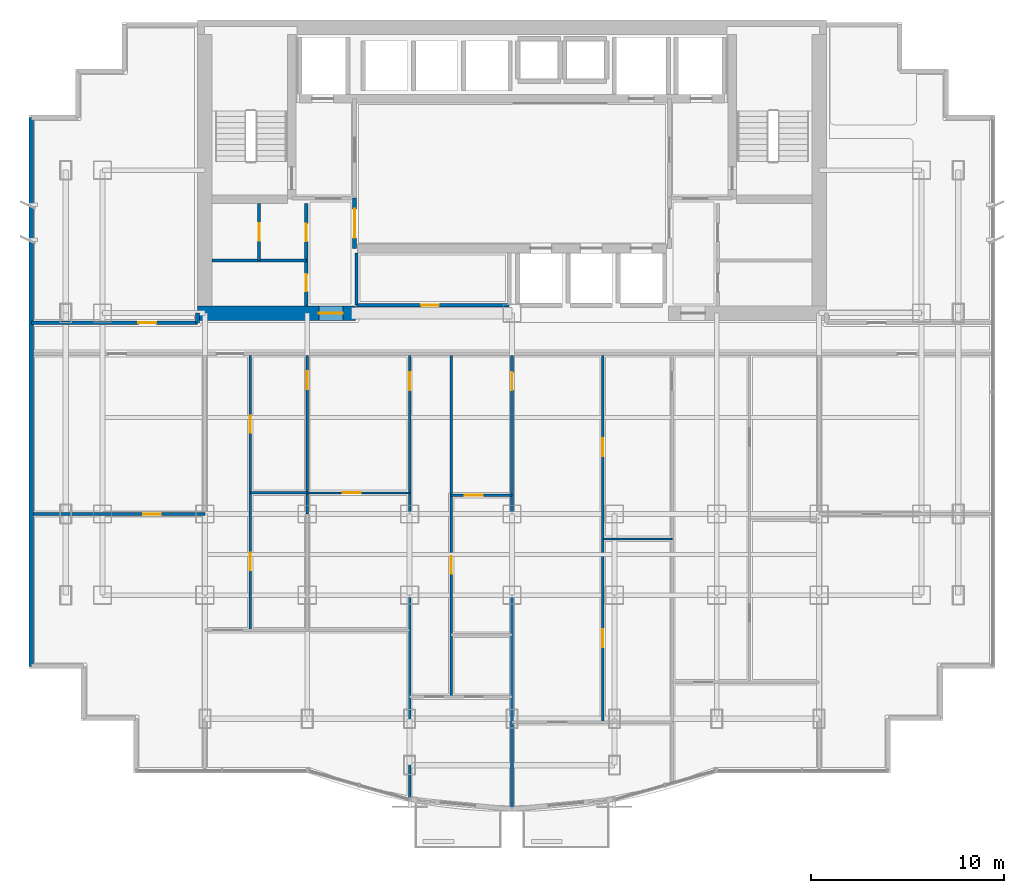
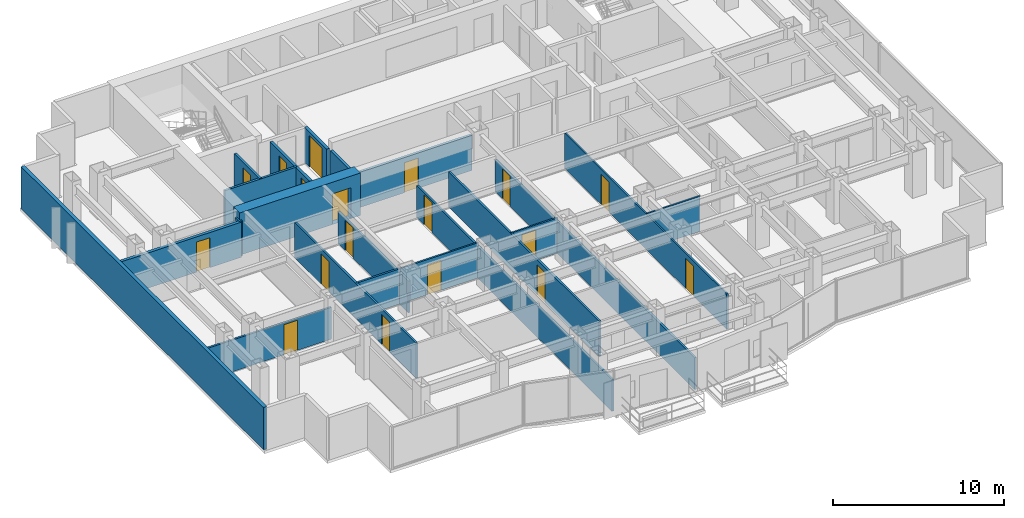
# One storey, part 7 of 11: 21 walls, 18 doors, 18 openings.
"""IFC4 building model written with IfcOpenShell, lengths in metres."""

from ifc_helpers import new_model, si_unit, direction, frame, frame_2d, origin, place, context, subcontext, project, spatial, rectangle, extrude, material, layer, layer_set, type_object, element, fill, save


model = new_model("IFC4")

# Units and contexts
model_context = context("Model", 3, precision=1e-05, world=origin(), true_north=direction((0.0, 1.0)))
body_context = subcontext(model_context, "Body", "Model", "MODEL_VIEW")
ifc_project = project(units=[si_unit("LENGTHUNIT", "METRE"), si_unit("AREAUNIT", "SQUARE_METRE"), si_unit("VOLUMEUNIT", "CUBIC_METRE"), si_unit("PLANEANGLEUNIT", "RADIAN"), si_unit("MASSUNIT", "GRAM", prefix="KILO")], contexts=[model_context])

# Site, building, storey
site_placement = place(None, origin())
site = spatial("IfcSite", under=ifc_project, at=site_placement, CompositionType="ELEMENT")
building_placement = place(site_placement, origin())
building = spatial("IfcBuilding", under=site, at=building_placement, Name="Qianlan Lanfeng Residences", CompositionType="ELEMENT")
storey_placement = place(building_placement, frame((0.0, 0.0, 124.60009765625)))
storey = spatial("IfcBuildingStorey", under=building, at=storey_placement, Name="L34", CompositionType="ELEMENT", Elevation=124.60009765625)

# Wall, opening, door
ifc_material_1 = material(Name="Concrete C60", Category="concrete")
ifc_layer_1 = layer(ifc_material_1, 0.75)
ifc_layer_set_1 = layer_set([ifc_layer_1], Name="Concrete C60")
wall_type_1 = type_object("IfcWallType", Name="CW-RC-750", PredefinedType="SHEAR", material=ifc_layer_set_1)
wall_1_placement = place(storey_placement, frame((10.22509765625, 25.199951171875, 0.0), z_axis=(0.0, 0.0, 1.0), x_axis=(1.0, 0.0, 0.0)))
wall_1 = element("IfcWall", 1, at=wall_1_placement, inside=storey, type_object=wall_type_1, Name="L34 Core Shear Wall SW", PredefinedType="SHEAR", context=body_context, shape_type="SweptSolid", body=[
    extrude(rectangle(XDim=8.1748046875, YDim=0.75, at=frame_2d((4.08740234375, 0.0))), origin(), (0.0, 0.0, 1.0), 3.02978515625),
])
opening_1_placement = place(wall_1_placement, frame((6.27490234375, 0.0, 0.0)))
opening_1 = element("IfcOpeningElement", 2, at=opening_1_placement, cuts=wall_1, Name="Opening L34-D01", PredefinedType="OPENING", context=body_context, shape_type="SweptSolid", body=[
    extrude(rectangle(XDim=1.25, YDim=2.199951171875, at=frame_2d((0.625, 1.10009765625))), frame((0.0, 0.385009765625, 0.0), z_axis=(0.0, -1.0, 0.0), x_axis=(1.0, 0.0, 0.0)), (0.0, 0.0, 1.0), 0.77001953125),
])
ifc_material_2 = material(Name="Painted Galvanised Steel Fire Door", Category="steel")
door_type_1 = type_object("IfcDoorType", Name="DT-FFL", OperationType="NOTDEFINED", PredefinedType="DOOR", material=ifc_material_2)
door_1_placement = place(opening_1_placement, origin())
door_1 = element("IfcDoor", 3, at=door_1_placement, inside=storey, type_object=door_type_1, Name="L34 West Core Lobby Smoke Door L34-D01 (DT-FFL)", OperationType="SINGLE_SWING_RIGHT", OverallHeight=2.199951171875, OverallWidth=1.25, PredefinedType="DOOR", context=body_context, shape_type="SweptSolid", body=[
    extrude(rectangle(XDim=1.25, YDim=2.199951171875, at=frame_2d((0.625, 1.10009765625))), frame((0.0, 0.02490234375, 0.0), z_axis=(0.0, -1.0, 0.0), x_axis=(1.0, 0.0, 0.0)), (0.0, 0.0, 1.0), 0.050048828125),
])
fill(opening_1, door_1)

# Wall
ifc_material_3 = material(Name="Concrete C42", Category="concrete")
ifc_layer_2 = layer(ifc_material_3, 0.239990234375)
ifc_layer_set_2 = layer_set([ifc_layer_2], Name="Concrete C42")
wall_type_2 = type_object("IfcWallType", Name="EW-240", PredefinedType="SOLIDWALL", material=ifc_layer_set_2)
wall_2_placement = place(storey_placement, frame((1.6201171875, 35.330078125, 0.0), z_axis=(0.0, 0.0, 1.0), x_axis=(0.0, -1.0, 0.0)))
element("IfcWall", 4, at=wall_2_placement, inside=storey, type_object=wall_type_2, Name="L34 Exterior Facade Spandrel Wall 21", PredefinedType="SOLIDWALL", context=body_context, shape_type="SweptSolid", body=[
    extrude(rectangle(XDim=28.41015625, YDim=0.239990234375, at=frame_2d((14.205078125, 0.0))), origin(), (0.0, 0.0, 1.0), 3.02978515625),
])

# Wall, opening, door
ifc_material_4 = material(Name="Demountable Acoustic Framing Partition 110 mm")
ifc_layer_3 = layer(ifc_material_4, 0.110107421875)
ifc_layer_set_3 = layer_set([ifc_layer_3], Name="Demountable Acoustic Framing Partition 110 mm")
wall_type_3 = type_object("IfcWallType", Name="PW-110", PredefinedType="MOVABLE", material=ifc_layer_set_3)
wall_3_placement = place(storey_placement, frame((15.89990234375, 15.89501953125, 0.0), z_axis=(0.0, 0.0, 1.0), x_axis=(1.0, 0.0, 0.0)))
wall_3 = element("IfcWall", 5, at=wall_3_placement, inside=storey, type_object=wall_type_3, Name="L34 U01 Study Split", PredefinedType="MOVABLE", context=body_context, shape_type="SweptSolid", body=[
    extrude(rectangle(XDim=5.300048828125, YDim=0.110107421875, at=frame_2d((2.64990234375, 0.0))), origin(), (0.0, 0.0, 1.0), 2.52001953125),
])
opening_2_placement = place(wall_3_placement, frame((1.840087890625, 0.0, 0.0)))
opening_2 = element("IfcOpeningElement", 6, at=opening_2_placement, cuts=wall_3, Name="Opening L34-D25", PredefinedType="OPENING", context=body_context, shape_type="SweptSolid", body=[
    extrude(rectangle(XDim=0.919921875, YDim=2.14990234375, at=frame_2d((0.4599609375, 1.074951171875))), frame((0.0, 0.06494140625, 0.0), z_axis=(0.0, -1.0, 0.0), x_axis=(1.0, 0.0, 0.0)), (0.0, 0.0, 1.0), 0.130126953125),
])
ifc_material_5 = material(Name="Glazed Timber Kitchen/Study Door", Category="wood")
door_type_2 = type_object("IfcDoorType", Name="DT-INT", OperationType="NOTDEFINED", PredefinedType="DOOR", material=ifc_material_5)
door_2_placement = place(opening_2_placement, origin())
door_2 = element("IfcDoor", 7, at=door_2_placement, inside=storey, type_object=door_type_2, Name="L34 U01 Study Inner Door L34-D25 (DT-INT)", OperationType="SINGLE_SWING_RIGHT", OverallHeight=2.14990234375, OverallWidth=0.919921875, PredefinedType="DOOR", context=body_context, shape_type="SweptSolid", body=[
    extrude(rectangle(XDim=0.919921875, YDim=2.14990234375, at=frame_2d((0.4599609375, 1.074951171875))), frame((0.0, 0.02490234375, 0.0), z_axis=(0.0, -1.0, 0.0), x_axis=(1.0, 0.0, 0.0)), (0.0, 0.0, 1.0), 0.050048828125),
])
fill(opening_2, door_2)

wall_4_placement = place(storey_placement, frame((23.35009765625, 15.77392578125, 0.0), z_axis=(0.0, 0.0, 1.0), x_axis=(1.0, 0.0, 0.0)))
wall_4 = element("IfcWall", 8, at=wall_4_placement, inside=storey, type_object=wall_type_3, Name="L34 U01 Wardrobe Split", PredefinedType="MOVABLE", context=body_context, shape_type="SweptSolid", body=[
    extrude(rectangle(XDim=3.14990234375, YDim=0.110107421875, at=frame_2d((1.574951171875, 0.0))), origin(), (0.0, 0.0, 1.0), 2.52001953125),
])
opening_3_placement = place(wall_4_placement, frame((0.715087890625, 0.0, 0.0)))
opening_3 = element("IfcOpeningElement", 9, at=opening_3_placement, cuts=wall_4, Name="Opening L34-D29", PredefinedType="OPENING", context=body_context, shape_type="SweptSolid", body=[
    extrude(rectangle(XDim=0.919921875, YDim=2.14990234375, at=frame_2d((0.4599609375, 1.074951171875))), frame((0.0, 0.06494140625, 0.0), z_axis=(0.0, -1.0, 0.0), x_axis=(1.0, 0.0, 0.0)), (0.0, 0.0, 1.0), 0.130126953125),
])
door_3_placement = place(opening_3_placement, origin())
door_3 = element("IfcDoor", 10, at=door_3_placement, inside=storey, type_object=door_type_2, Name="L34 U01 Dressing Inner Door L34-D29 (DT-INT)", OperationType="SINGLE_SWING_RIGHT", OverallHeight=2.14990234375, OverallWidth=0.919921875, PredefinedType="DOOR", context=body_context, shape_type="SweptSolid", body=[
    extrude(rectangle(XDim=0.919921875, YDim=2.14990234375, at=frame_2d((0.4599609375, 1.074951171875))), frame((0.0, 0.02490234375, 0.0), z_axis=(0.0, -1.0, 0.0), x_axis=(1.0, 0.0, 0.0)), (0.0, 0.0, 1.0), 0.050048828125),
])
fill(opening_3, door_3)

# Wall, openings, doors
wall_5_placement = place(storey_placement, frame((31.199951171875, 4.030029296875, 0.0), z_axis=(0.0, 0.0, 1.0), x_axis=(0.0, 1.0, 0.0)))
wall_5 = element("IfcWall", 11, at=wall_5_placement, inside=storey, type_object=wall_type_3, Name="L34 U01 Bedroom 3 Hall Wall", PredefinedType="MOVABLE", context=body_context, shape_type="SweptSolid", body=[
    extrude(rectangle(XDim=18.969970703125, YDim=0.110107421875, at=frame_2d((9.48486328125, 0.0))), origin(), (0.0, 0.0, 1.0), 2.52001953125),
])
opening_4_placement = place(wall_5_placement, frame((3.883056640625, 0.0, 0.0)))
opening_4 = element("IfcOpeningElement", 12, at=opening_4_placement, cuts=wall_5, Name="Opening L34-D31", PredefinedType="OPENING", context=body_context, shape_type="SweptSolid", body=[
    extrude(rectangle(XDim=0.919921875, YDim=2.14990234375, at=frame_2d((0.4599609375, 1.074951171875))), frame((0.0, 0.06494140625, 0.0), z_axis=(0.0, -1.0, 0.0), x_axis=(1.0, 0.0, 0.0)), (0.0, 0.0, 1.0), 0.130126953125),
])
opening_5_placement = place(wall_5_placement, frame((13.76708984375, 0.0, 0.0)))
opening_5 = element("IfcOpeningElement", 13, at=opening_5_placement, cuts=wall_5, Name="Opening L34-D32", PredefinedType="OPENING", context=body_context, shape_type="SweptSolid", body=[
    extrude(rectangle(XDim=0.919921875, YDim=2.14990234375, at=frame_2d((0.4599609375, 1.074951171875))), frame((0.0, 0.06494140625, 0.0), z_axis=(0.0, -1.0, 0.0), x_axis=(1.0, 0.0, 0.0)), (0.0, 0.0, 1.0), 0.130126953125),
])
door_4_placement = place(opening_4_placement, origin())
door_4 = element("IfcDoor", 14, at=door_4_placement, inside=storey, type_object=door_type_2, Name="L34 U01 Utility Door L34-D31 (DT-INT)", OperationType="SINGLE_SWING_RIGHT", OverallHeight=2.14990234375, OverallWidth=0.919921875, PredefinedType="DOOR", context=body_context, shape_type="SweptSolid", body=[
    extrude(rectangle(XDim=0.919921875, YDim=2.14990234375, at=frame_2d((0.4599609375, 1.074951171875))), frame((0.0, 0.02490234375, 0.0), z_axis=(0.0, -1.0, 0.0), x_axis=(1.0, 0.0, 0.0)), (0.0, 0.0, 1.0), 0.050048828125),
])
fill(opening_4, door_4)
door_5_placement = place(opening_5_placement, origin())
door_5 = element("IfcDoor", 15, at=door_5_placement, inside=storey, type_object=door_type_2, Name="L34 U01 Specialty Door L34-D32 (DT-INT)", OperationType="SINGLE_SWING_LEFT", OverallHeight=2.14990234375, OverallWidth=0.919921875, PredefinedType="DOOR", context=body_context, shape_type="SweptSolid", body=[
    extrude(rectangle(XDim=0.919921875, YDim=2.14990234375, at=frame_2d((0.4599609375, 1.074951171875))), frame((0.0, 0.02490234375, 0.0), z_axis=(0.0, -1.0, 0.0), x_axis=(1.0, 0.0, 0.0)), (0.0, 0.0, 1.0), 0.050048828125),
])
fill(opening_5, door_5)

# Wall
wall_6_placement = place(storey_placement, frame((31.199951171875, 13.514892578125, 0.0), z_axis=(0.0, 0.0, 1.0), x_axis=(1.0, 0.0, 0.0)))
element("IfcWall", 16, at=wall_6_placement, inside=storey, type_object=wall_type_3, Name="L34 U01 Specialty Split Wall", PredefinedType="MOVABLE", context=body_context, shape_type="SweptSolid", body=[
    extrude(rectangle(XDim=3.60009765625, YDim=0.110107421875, at=frame_2d((1.800048828125, 0.0))), origin(), (0.0, 0.0, 1.0), 2.52001953125),
])

# Wall, opening, door
ifc_material_6 = material(Name="Moisture-Resistant Gypsum Partition 135 mm")
ifc_layer_4 = layer(ifc_material_6, 0.135009765625)
ifc_layer_set_4 = layer_set([ifc_layer_4], Name="Moisture-Resistant Gypsum Partition 135 mm")
wall_type_4 = type_object("IfcWallType", Name="PW-135", PredefinedType="PARTITIONING", material=ifc_layer_set_4)
wall_7_placement = place(storey_placement, frame((15.89990234375, 14.800048828125, 0.0), z_axis=(0.0, 0.0, 1.0), x_axis=(0.0, 1.0, 0.0)))
wall_7 = element("IfcWall", 17, at=wall_7_placement, inside=storey, type_object=wall_type_4, Name="L34 U01 North Spine Wall", PredefinedType="PARTITIONING", context=body_context, shape_type="SweptSolid", body=[
    extrude(rectangle(XDim=8.199951171875, YDim=0.135009765625, at=frame_2d((4.10009765625, 0.0))), origin(), (0.0, 0.0, 1.0), 2.27490234375),
])
opening_6_placement = place(wall_7_placement, frame((6.465087890625, 0.0, 0.0)))
opening_6 = element("IfcOpeningElement", 18, at=opening_6_placement, cuts=wall_7, Name="Opening L34-D18", PredefinedType="OPENING", context=body_context, shape_type="SweptSolid", body=[
    extrude(rectangle(XDim=0.919921875, YDim=2.14990234375, at=frame_2d((0.4599609375, 1.074951171875))), frame((0.0, 0.07763671875, 0.0), z_axis=(0.0, -1.0, 0.0), x_axis=(1.0, 0.0, 0.0)), (0.0, 0.0, 1.0), 0.155029296875),
])
door_6_placement = place(opening_6_placement, origin())
door_6 = element("IfcDoor", 19, at=door_6_placement, inside=storey, type_object=door_type_2, Name="L34 U01 North Suite Door L34-D18 (DT-INT)", OperationType="SINGLE_SWING_LEFT", OverallHeight=2.14990234375, OverallWidth=0.919921875, PredefinedType="DOOR", context=body_context, shape_type="SweptSolid", body=[
    extrude(rectangle(XDim=0.919921875, YDim=2.14990234375, at=frame_2d((0.4599609375, 1.074951171875))), frame((0.0, 0.02490234375, 0.0), z_axis=(0.0, -1.0, 0.0), x_axis=(1.0, 0.0, 0.0)), (0.0, 0.0, 1.0), 0.050048828125),
])
fill(opening_6, door_6)

wall_8_placement = place(storey_placement, frame((21.199951171875, 0.126953125, 0.0), z_axis=(0.0, 0.0, 1.0), x_axis=(0.0, 1.0, 0.0)))
wall_8 = element("IfcWall", 20, at=wall_8_placement, inside=storey, type_object=wall_type_4, Name="L34 U01 Bay Spine Wall 2", PredefinedType="PARTITIONING", context=body_context, shape_type="SweptSolid", body=[
    extrude(rectangle(XDim=22.873046875, YDim=0.135009765625, at=frame_2d((11.4365234375, 0.0))), origin(), (0.0, 0.0, 1.0), 2.27490234375),
])
opening_7_placement = place(wall_8_placement, frame((21.087890625, 0.0, 0.0)))
opening_7 = element("IfcOpeningElement", 21, at=opening_7_placement, cuts=wall_8, Name="Opening L34-D19", PredefinedType="OPENING", context=body_context, shape_type="SweptSolid", body=[
    extrude(rectangle(XDim=0.919921875, YDim=2.14990234375, at=frame_2d((0.4599609375, 1.074951171875))), frame((0.0, 0.07763671875, 0.0), z_axis=(0.0, -1.0, 0.0), x_axis=(1.0, 0.0, 0.0)), (0.0, 0.0, 1.0), 0.155029296875),
])
door_7_placement = place(opening_7_placement, origin())
door_7 = element("IfcDoor", 22, at=door_7_placement, inside=storey, type_object=door_type_2, Name="L34 U01 Internal Hall Door L34-D19 (DT-INT)", OperationType="SINGLE_SWING_RIGHT", OverallHeight=2.14990234375, OverallWidth=0.919921875, PredefinedType="DOOR", context=body_context, shape_type="SweptSolid", body=[
    extrude(rectangle(XDim=0.919921875, YDim=2.14990234375, at=frame_2d((0.4599609375, 1.074951171875))), frame((0.0, 0.02490234375, 0.0), z_axis=(0.0, -1.0, 0.0), x_axis=(1.0, 0.0, 0.0)), (0.0, 0.0, 1.0), 0.050048828125),
])
fill(opening_7, door_7)

wall_9_placement = place(storey_placement, frame((26.5, -0.3798828125, 0.0), z_axis=(0.0, 0.0, 1.0), x_axis=(0.0, 1.0, 0.0)))
wall_9 = element("IfcWall", 23, at=wall_9_placement, inside=storey, type_object=wall_type_4, Name="L34 U01 Bay Spine Wall 3", PredefinedType="PARTITIONING", context=body_context, shape_type="SweptSolid", body=[
    extrude(rectangle(XDim=23.3798828125, YDim=0.135009765625, at=frame_2d((11.68994140625, 0.0))), origin(), (0.0, 0.0, 1.0), 2.27490234375),
])
opening_8_placement = place(wall_9_placement, frame((21.594970703125, 0.0, 0.0)))
opening_8 = element("IfcOpeningElement", 24, at=opening_8_placement, cuts=wall_9, Name="Opening L34-D20", PredefinedType="OPENING", context=body_context, shape_type="SweptSolid", body=[
    extrude(rectangle(XDim=0.919921875, YDim=2.14990234375, at=frame_2d((0.4599609375, 1.074951171875))), frame((0.0, 0.07763671875, 0.0), z_axis=(0.0, -1.0, 0.0), x_axis=(1.0, 0.0, 0.0)), (0.0, 0.0, 1.0), 0.155029296875),
])
door_8_placement = place(opening_8_placement, origin())
door_8 = element("IfcDoor", 25, at=door_8_placement, inside=storey, type_object=door_type_2, Name="L34 U01 Internal Hall Door L34-D20 (DT-INT)", OperationType="SINGLE_SWING_LEFT", OverallHeight=2.14990234375, OverallWidth=0.919921875, PredefinedType="DOOR", context=body_context, shape_type="SweptSolid", body=[
    extrude(rectangle(XDim=0.919921875, YDim=2.14990234375, at=frame_2d((0.4599609375, 1.074951171875))), frame((0.0, 0.02490234375, 0.0), z_axis=(0.0, -1.0, 0.0), x_axis=(1.0, 0.0, 0.0)), (0.0, 0.0, 1.0), 0.050048828125),
])
fill(opening_8, door_8)

# Wall, openings, doors
wall_10_placement = place(storey_placement, frame((12.949951171875, 8.7900390625, 0.0), z_axis=(0.0, 0.0, 1.0), x_axis=(0.0, 1.0, 0.0)))
wall_10 = element("IfcWall", 26, at=wall_10_placement, inside=storey, type_object=wall_type_4, Name="L34 U01 Kitchen/Bath Wall", PredefinedType="PARTITIONING", context=body_context, shape_type="SweptSolid", body=[
    extrude(rectangle(XDim=14.2099609375, YDim=0.135009765625, at=frame_2d((7.10498046875, 0.0))), origin(), (0.0, 0.0, 1.0), 2.52001953125),
])
opening_9_placement = place(wall_10_placement, frame((3.093017578125, 0.0, 0.0)))
opening_9 = element("IfcOpeningElement", 27, at=opening_9_placement, cuts=wall_10, Name="Opening L34-D23", PredefinedType="OPENING", context=body_context, shape_type="SweptSolid", body=[
    extrude(rectangle(XDim=0.919921875, YDim=2.14990234375, at=frame_2d((0.4599609375, 1.074951171875))), frame((0.0, 0.07763671875, 0.0), z_axis=(0.0, -1.0, 0.0), x_axis=(1.0, 0.0, 0.0)), (0.0, 0.0, 1.0), 0.155029296875),
])
opening_10_placement = place(wall_10_placement, frame((10.20703125, 0.0, 0.0)))
opening_10 = element("IfcOpeningElement", 28, at=opening_10_placement, cuts=wall_10, Name="Opening L34-D24", PredefinedType="OPENING", context=body_context, shape_type="SweptSolid", body=[
    extrude(rectangle(XDim=0.89990234375, YDim=2.14990234375, at=frame_2d((0.449951171875, 1.074951171875))), frame((0.0, 0.07763671875, 0.0), z_axis=(0.0, -1.0, 0.0), x_axis=(1.0, 0.0, 0.0)), (0.0, 0.0, 1.0), 0.155029296875),
])
door_9_placement = place(opening_9_placement, origin())
door_9 = element("IfcDoor", 29, at=door_9_placement, inside=storey, type_object=door_type_2, Name="L34 U01 Kitchen Door L34-D23 (DT-INT)", OperationType="SINGLE_SWING_RIGHT", OverallHeight=2.14990234375, OverallWidth=0.919921875, PredefinedType="DOOR", context=body_context, shape_type="SweptSolid", body=[
    extrude(rectangle(XDim=0.919921875, YDim=2.14990234375, at=frame_2d((0.4599609375, 1.074951171875))), frame((0.0, 0.02490234375, 0.0), z_axis=(0.0, -1.0, 0.0), x_axis=(1.0, 0.0, 0.0)), (0.0, 0.0, 1.0), 0.050048828125),
])
fill(opening_9, door_9)
ifc_material_7 = material(Name="Moisture-Resistant Timber Leaf", Category="wood")
door_type_3 = type_object("IfcDoorType", Name="DT-WC", OperationType="NOTDEFINED", PredefinedType="DOOR", material=ifc_material_7)
door_10_placement = place(opening_10_placement, origin())
door_10 = element("IfcDoor", 30, at=door_10_placement, inside=storey, type_object=door_type_3, Name="L34 U01 Bathroom Door L34-D24 (DT-WC)", OperationType="SINGLE_SWING_LEFT", OverallHeight=2.14990234375, OverallWidth=0.89990234375, PredefinedType="DOOR", context=body_context, shape_type="SweptSolid", body=[
    extrude(rectangle(XDim=0.89990234375, YDim=2.14990234375, at=frame_2d((0.449951171875, 1.074951171875))), frame((0.0, 0.02490234375, 0.0), z_axis=(0.0, -1.0, 0.0), x_axis=(1.0, 0.0, 0.0)), (0.0, 0.0, 1.0), 0.050048828125),
])
fill(opening_10, door_10)

# Wall
wall_11_placement = place(storey_placement, frame((12.949951171875, 15.89501953125, 0.0), z_axis=(0.0, 0.0, 1.0), x_axis=(1.0, 0.0, 0.0)))
element("IfcWall", 31, at=wall_11_placement, inside=storey, type_object=wall_type_4, Name="L34 U01 Bath Split Wall", PredefinedType="PARTITIONING", context=body_context, shape_type="SweptSolid", body=[
    extrude(rectangle(XDim=2.949951171875, YDim=0.135009765625, at=frame_2d((1.47509765625, 0.0))), origin(), (0.0, 0.0, 1.0), 2.52001953125),
])

# Wall, opening, door
wall_12_placement = place(storey_placement, frame((23.35009765625, 5.346923828125, 0.0), z_axis=(0.0, 0.0, 1.0), x_axis=(0.0, 1.0, 0.0)))
wall_12 = element("IfcWall", 32, at=wall_12_placement, inside=storey, type_object=wall_type_4, Name="L34 U01 Master Passage Wall", PredefinedType="PARTITIONING", context=body_context, shape_type="SweptSolid", body=[
    extrude(rectangle(XDim=17.653076171875, YDim=0.135009765625, at=frame_2d((8.82666015625, 0.0))), origin(), (0.0, 0.0, 1.0), 2.52001953125),
])
opening_11_placement = place(wall_12_placement, frame((6.35400390625, 0.0, 0.0)))
opening_11 = element("IfcOpeningElement", 33, at=opening_11_placement, cuts=wall_12, Name="Opening L34-D28", PredefinedType="OPENING", context=body_context, shape_type="SweptSolid", body=[
    extrude(rectangle(XDim=0.919921875, YDim=2.14990234375, at=frame_2d((0.4599609375, 1.074951171875))), frame((0.0, 0.07763671875, 0.0), z_axis=(0.0, -1.0, 0.0), x_axis=(1.0, 0.0, 0.0)), (0.0, 0.0, 1.0), 0.155029296875),
])
door_11_placement = place(opening_11_placement, origin())
door_11 = element("IfcDoor", 34, at=door_11_placement, inside=storey, type_object=door_type_2, Name="L34 U01 Wardrobe Door L34-D28 (DT-INT)", OperationType="SINGLE_SWING_LEFT", OverallHeight=2.14990234375, OverallWidth=0.919921875, PredefinedType="DOOR", context=body_context, shape_type="SweptSolid", body=[
    extrude(rectangle(XDim=0.919921875, YDim=2.14990234375, at=frame_2d((0.4599609375, 1.074951171875))), frame((0.0, 0.02490234375, 0.0), z_axis=(0.0, -1.0, 0.0), x_axis=(1.0, 0.0, 0.0)), (0.0, 0.0, 1.0), 0.050048828125),
])
fill(opening_11, door_11)

wall_13_placement = place(storey_placement, frame((1.719970703125, 14.800048828125, 0.0), z_axis=(0.0, 0.0, 1.0), x_axis=(1.0, 0.0, 0.0)))
wall_13 = element("IfcWall", 35, at=wall_13_placement, inside=storey, type_object=wall_type_4, Name="L34 SWP Mid Partition", PredefinedType="PARTITIONING", context=body_context, shape_type="SweptSolid", body=[
    extrude(rectangle(XDim=8.880126953125, YDim=0.135009765625, at=frame_2d((4.43994140625, 0.0))), origin(), (0.0, 0.0, 1.0), 2.27490234375),
])
opening_12_placement = place(wall_13_placement, frame((5.679931640625, 0.0, 0.0)))
opening_12 = element("IfcOpeningElement", 36, at=opening_12_placement, cuts=wall_13, Name="Opening L34-D36", PredefinedType="OPENING", context=body_context, shape_type="SweptSolid", body=[
    extrude(rectangle(XDim=0.919921875, YDim=2.14990234375, at=frame_2d((0.4599609375, 1.074951171875))), frame((0.0, 0.07763671875, 0.0), z_axis=(0.0, -1.0, 0.0), x_axis=(1.0, 0.0, 0.0)), (0.0, 0.0, 1.0), 0.155029296875),
])
door_12_placement = place(opening_12_placement, origin())
door_12 = element("IfcDoor", 37, at=door_12_placement, inside=storey, type_object=door_type_2, Name="L34 SWP Inner Door L34-D36 (DT-INT)", OperationType="SINGLE_SWING_LEFT", OverallHeight=2.14990234375, OverallWidth=0.919921875, PredefinedType="DOOR", context=body_context, shape_type="SweptSolid", body=[
    extrude(rectangle(XDim=0.919921875, YDim=2.14990234375, at=frame_2d((0.4599609375, 1.074951171875))), frame((0.0, 0.02490234375, 0.0), z_axis=(0.0, -1.0, 0.0), x_axis=(1.0, 0.0, 0.0)), (0.0, 0.0, 1.0), 0.050048828125),
])
fill(opening_12, door_12)

# Wall
ifc_material_8 = material(Name="Acoustic Drywall Partition 150 mm")
ifc_layer_5 = layer(ifc_material_8, 0.14990234375)
ifc_layer_set_5 = layer_set([ifc_layer_5], Name="Acoustic Drywall Partition 150 mm")
wall_type_5 = type_object("IfcWallType", Name="PW-150", PredefinedType="PARTITIONING", material=ifc_layer_set_5)
wall_14_placement = place(storey_placement, frame((10.97509765625, 27.925048828125, 0.0), z_axis=(0.0, 0.0, 1.0), x_axis=(1.0, 0.0, 0.0)))
element("IfcWall", 38, at=wall_14_placement, inside=storey, type_object=wall_type_5, Name="L34 Core West H4", PredefinedType="PARTITIONING", context=body_context, shape_type="SweptSolid", body=[
    extrude(rectangle(XDim=4.875, YDim=0.14990234375, at=frame_2d((2.4375, 0.0))), origin(), (0.0, 0.0, 1.0), 2.52001953125),
])

# Wall, opening, door
wall_15_placement = place(storey_placement, frame((13.412109375, 27.925048828125, 0.0), z_axis=(0.0, 0.0, 1.0), x_axis=(0.0, 1.0, 0.0)))
wall_15 = element("IfcWall", 39, at=wall_15_placement, inside=storey, type_object=wall_type_5, Name="L34 Core West V4", PredefinedType="PARTITIONING", context=body_context, shape_type="SweptSolid", body=[
    extrude(rectangle(XDim=2.949951171875, YDim=0.14990234375, at=frame_2d((1.47509765625, 0.0))), origin(), (0.0, 0.0, 1.0), 2.52001953125),
])
opening_13_placement = place(wall_15_placement, frame((1.014892578125, 0.0, 0.0)))
opening_13 = element("IfcOpeningElement", 40, at=opening_13_placement, cuts=wall_15, Name="Opening L34-D11", PredefinedType="OPENING", context=body_context, shape_type="SweptSolid", body=[
    extrude(rectangle(XDim=0.919921875, YDim=2.14990234375, at=frame_2d((0.4599609375, 1.074951171875))), frame((0.0, 0.0849609375, 0.0), z_axis=(0.0, -1.0, 0.0), x_axis=(1.0, 0.0, 0.0)), (0.0, 0.0, 1.0), 0.169921875),
])
door_13_placement = place(opening_13_placement, origin())
door_13 = element("IfcDoor", 41, at=door_13_placement, inside=storey, type_object=door_type_2, Name="L34 Linen Store Door L34-D11 (DT-INT)", OperationType="SINGLE_SWING_RIGHT", OverallHeight=2.14990234375, OverallWidth=0.919921875, PredefinedType="DOOR", context=body_context, shape_type="SweptSolid", body=[
    extrude(rectangle(XDim=0.919921875, YDim=2.14990234375, at=frame_2d((0.4599609375, 1.074951171875))), frame((0.0, 0.02490234375, 0.0), z_axis=(0.0, -1.0, 0.0), x_axis=(1.0, 0.0, 0.0)), (0.0, 0.0, 1.0), 0.050048828125),
])
fill(opening_13, door_13)

# Wall, openings, doors
ifc_material_9 = material(Name="Double-Layer Acoustic Gypsum Stud Wall 180 mm")
ifc_layer_6 = layer(ifc_material_9, 0.179931640625)
ifc_layer_set_6 = layer_set([ifc_layer_6], Name="Double-Layer Acoustic Gypsum Stud Wall 180 mm")
wall_type_6 = type_object("IfcWallType", Name="PW-180", PredefinedType="PARTITIONING", material=ifc_layer_set_6)
wall_16_placement = place(storey_placement, frame((15.85009765625, 25.574951171875, 0.0), z_axis=(0.0, 0.0, 1.0), x_axis=(0.0, 1.0, 0.0)))
wall_16 = element("IfcWall", 42, at=wall_16_placement, inside=storey, type_object=wall_type_6, Name="L34 Core West Service Room Wall", PredefinedType="PARTITIONING", context=body_context, shape_type="SweptSolid", body=[
    extrude(rectangle(XDim=5.300048828125, YDim=0.179931640625, at=frame_2d((2.64990234375, 0.0))), origin(), (0.0, 0.0, 1.0), 2.52001953125),
])
opening_14_placement = place(wall_16_placement, frame((0.75, 0.0, 0.0)))
opening_14 = element("IfcOpeningElement", 43, at=opening_14_placement, cuts=wall_16, Name="Opening L34-D09", PredefinedType="OPENING", context=body_context, shape_type="SweptSolid", body=[
    extrude(rectangle(XDim=0.89990234375, YDim=2.14990234375, at=frame_2d((0.449951171875, 1.074951171875))), frame((0.0, 0.10009765625, 0.0), z_axis=(0.0, -1.0, 0.0), x_axis=(1.0, 0.0, 0.0)), (0.0, 0.0, 1.0), 0.199951171875),
])
opening_15_placement = place(wall_16_placement, frame((3.340087890625, 0.0, 0.0)))
opening_15 = element("IfcOpeningElement", 44, at=opening_15_placement, cuts=wall_16, Name="Opening L34-D10", PredefinedType="OPENING", context=body_context, shape_type="SweptSolid", body=[
    extrude(rectangle(XDim=0.919921875, YDim=2.14990234375, at=frame_2d((0.4599609375, 1.074951171875))), frame((0.0, 0.10009765625, 0.0), z_axis=(0.0, -1.0, 0.0), x_axis=(1.0, 0.0, 0.0)), (0.0, 0.0, 1.0), 0.199951171875),
])
door_14_placement = place(opening_15_placement, origin())
door_14 = element("IfcDoor", 45, at=door_14_placement, inside=storey, type_object=door_type_2, Name="L34 Janitor Hall Door L34-D10 (DT-INT)", OperationType="SINGLE_SWING_LEFT", OverallHeight=2.14990234375, OverallWidth=0.919921875, PredefinedType="DOOR", context=body_context, shape_type="SweptSolid", body=[
    extrude(rectangle(XDim=0.919921875, YDim=2.14990234375, at=frame_2d((0.4599609375, 1.074951171875))), frame((0.0, 0.02490234375, 0.0), z_axis=(0.0, -1.0, 0.0), x_axis=(1.0, 0.0, 0.0)), (0.0, 0.0, 1.0), 0.050048828125),
])
fill(opening_15, door_14)
door_15_placement = place(opening_14_placement, origin())
door_15 = element("IfcDoor", 46, at=door_15_placement, inside=storey, type_object=door_type_3, Name="L34 Staff WC Door L34-D09 (DT-WC)", OperationType="SINGLE_SWING_LEFT", OverallHeight=2.14990234375, OverallWidth=0.89990234375, PredefinedType="DOOR", context=body_context, shape_type="SweptSolid", body=[
    extrude(rectangle(XDim=0.89990234375, YDim=2.14990234375, at=frame_2d((0.449951171875, 1.074951171875))), frame((0.0, 0.02490234375, 0.0), z_axis=(0.0, -1.0, 0.0), x_axis=(1.0, 0.0, 0.0)), (0.0, 0.0, 1.0), 0.050048828125),
])
fill(opening_14, door_15)

# Wall
wall_17_placement = place(storey_placement, frame((18.449951171875, 25.6201171875, 0.0), z_axis=(0.0, 0.0, 1.0), x_axis=(0.0, 1.0, 0.0)))
element("IfcWall", 47, at=wall_17_placement, inside=storey, type_object=wall_type_6, Name="L34 Reclaimed Low-Bank Room West Wall", PredefinedType="PARTITIONING", context=body_context, shape_type="SweptSolid", body=[
    extrude(rectangle(XDim=2.704833984375, YDim=0.179931640625, at=frame_2d((1.3525390625, 0.0))), origin(), (0.0, 0.0, 1.0), 2.52001953125),
])

# Wall, opening, door
wall_18_placement = place(storey_placement, frame((18.449951171875, 25.6201171875, 0.0), z_axis=(0.0, 0.0, 1.0), x_axis=(1.0, 0.0, 0.0)))
wall_18 = element("IfcWall", 48, at=wall_18_placement, inside=storey, type_object=wall_type_6, Name="L34 Reclaimed Low-Bank Room South Wall", PredefinedType="PARTITIONING", context=body_context, shape_type="SweptSolid", body=[
    extrude(rectangle(XDim=7.900146484375, YDim=0.179931640625, at=frame_2d((3.9501953125, 0.0))), origin(), (0.0, 0.0, 1.0), 2.52001953125),
])
opening_16_placement = place(wall_18_placement, frame((3.340087890625, 0.0, 0.0)))
opening_16 = element("IfcOpeningElement", 49, at=opening_16_placement, cuts=wall_18, Name="Opening L34-D16", PredefinedType="OPENING", context=body_context, shape_type="SweptSolid", body=[
    extrude(rectangle(XDim=0.919921875, YDim=2.14990234375, at=frame_2d((0.4599609375, 1.074951171875))), frame((0.0, 0.10009765625, 0.0), z_axis=(0.0, -1.0, 0.0), x_axis=(1.0, 0.0, 0.0)), (0.0, 0.0, 1.0), 0.199951171875),
])
door_16_placement = place(opening_16_placement, origin())
door_16 = element("IfcDoor", 50, at=door_16_placement, inside=storey, type_object=door_type_2, Name="L34 Reclaimed Core Salon Door L34-D16 (DT-INT)", OperationType="SINGLE_SWING_LEFT", OverallHeight=2.14990234375, OverallWidth=0.919921875, PredefinedType="DOOR", context=body_context, shape_type="SweptSolid", body=[
    extrude(rectangle(XDim=0.919921875, YDim=2.14990234375, at=frame_2d((0.4599609375, 1.074951171875))), frame((0.0, 0.02490234375, 0.0), z_axis=(0.0, -1.0, 0.0), x_axis=(1.0, 0.0, 0.0)), (0.0, 0.0, 1.0), 0.050048828125),
])
fill(opening_16, door_16)

ifc_material_10 = material(Name="Autoclaved Aerated Concrete Blockwork 200 mm", Category="masonry")
ifc_layer_7 = layer(ifc_material_10, 0.199951171875)
ifc_layer_set_7 = layer_set([ifc_layer_7], Name="Autoclaved Aerated Concrete Blockwork 200 mm")
wall_type_7 = type_object("IfcWallType", Name="PW-200", PredefinedType="PARTITIONING", material=ifc_layer_set_7)
wall_19_placement = place(storey_placement, frame((18.35009765625, 28.550048828125, 0.0), z_axis=(0.0, 0.0, 1.0), x_axis=(0.0, 1.0, 0.0)))
wall_19 = element("IfcWall", 51, at=wall_19_placement, inside=storey, type_object=wall_type_7, Name="L34 Lift Lobby West Connector Wall", PredefinedType="PARTITIONING", context=body_context, shape_type="SweptSolid", body=[
    extrude(rectangle(XDim=2.599853515625, YDim=0.199951171875, at=frame_2d((1.2998046875, 0.0))), origin(), (0.0, 0.0, 1.0), 2.52001953125),
])
opening_17_placement = place(wall_19_placement, frame((0.550048828125, 0.0, 0.0)))
opening_17 = element("IfcOpeningElement", 52, at=opening_17_placement, cuts=wall_19, Name="Opening L34-D14", PredefinedType="OPENING", context=body_context, shape_type="SweptSolid", body=[
    extrude(rectangle(XDim=1.5, YDim=2.25, at=frame_2d((0.75, 1.125))), frame((0.0, 0.10986328125, 0.0), z_axis=(0.0, -1.0, 0.0), x_axis=(1.0, 0.0, 0.0)), (0.0, 0.0, 1.0), 0.219970703125),
])
ifc_material_11 = material(Name="Timber Veneer Acoustic Fire Door", Category="wood")
door_type_4 = type_object("IfcDoorType", Name="DT-COR1", OperationType="NOTDEFINED", PredefinedType="DOOR", material=ifc_material_11)
door_17_placement = place(opening_17_placement, origin())
door_17 = element("IfcDoor", 53, at=door_17_placement, inside=storey, type_object=door_type_4, Name="L34 Lift Lobby West Portal Door L34-D14 (DT-COR1)", OperationType="DOUBLE_DOOR_SINGLE_SWING", OverallHeight=2.25, OverallWidth=1.5, PredefinedType="DOOR", context=body_context, shape_type="SweptSolid", body=[
    extrude(rectangle(XDim=1.5, YDim=2.25, at=frame_2d((0.75, 1.125))), frame((0.0, 0.02490234375, 0.0), z_axis=(0.0, -1.0, 0.0), x_axis=(1.0, 0.0, 0.0)), (0.0, 0.0, 1.0), 0.050048828125),
])
fill(opening_17, door_17)

wall_20_placement = place(storey_placement, frame((1.6201171875, 24.699951171875, 0.0), z_axis=(0.0, 0.0, 1.0), x_axis=(1.0, 0.0, 0.0)))
wall_20 = element("IfcWall", 54, at=wall_20_placement, inside=storey, type_object=wall_type_7, Name="L34 Corridor NW Wall", PredefinedType="PARTITIONING", context=body_context, shape_type="SweptSolid", body=[
    extrude(rectangle(XDim=8.60498046875, YDim=0.199951171875, at=frame_2d((4.302490234375, 0.0))), origin(), (0.0, 0.0, 1.0), 2.52001953125),
])
opening_18_placement = place(wall_20_placement, frame((5.5419921875, 0.0, 0.0)))
opening_18 = element("IfcOpeningElement", 55, at=opening_18_placement, cuts=wall_20, Name="Opening L34-D40", PredefinedType="OPENING", context=body_context, shape_type="SweptSolid", body=[
    extrude(rectangle(XDim=0.919921875, YDim=2.14990234375, at=frame_2d((0.4599609375, 1.074951171875))), frame((0.0, 0.10986328125, 0.0), z_axis=(0.0, -1.0, 0.0), x_axis=(1.0, 0.0, 0.0)), (0.0, 0.0, 1.0), 0.219970703125),
])
door_18_placement = place(opening_18_placement, origin())
door_18 = element("IfcDoor", 56, at=door_18_placement, inside=storey, type_object=door_type_2, Name="L34 WW Amenity Salon Door L34-D40 (DT-INT)", OperationType="SINGLE_SWING_LEFT", OverallHeight=2.14990234375, OverallWidth=0.919921875, PredefinedType="DOOR", context=body_context, shape_type="SweptSolid", body=[
    extrude(rectangle(XDim=0.919921875, YDim=2.14990234375, at=frame_2d((0.4599609375, 1.074951171875))), frame((0.0, 0.02490234375, 0.0), z_axis=(0.0, -1.0, 0.0), x_axis=(1.0, 0.0, 0.0)), (0.0, 0.0, 1.0), 0.050048828125),
])
fill(opening_18, door_18)

# Wall
wall_21_placement = place(storey_placement, frame((10.22509765625, 24.699951171875, 0.0), z_axis=(0.0, 0.0, 1.0), x_axis=(0.0, 1.0, 0.0)))
element("IfcWall", 57, at=wall_21_placement, inside=storey, type_object=wall_type_7, Name="L34 NW Wing Core Return Wall", PredefinedType="PARTITIONING", context=body_context, shape_type="SweptSolid", body=[
    extrude(rectangle(XDim=0.5, YDim=0.199951171875, at=frame_2d((0.25, 0.0))), origin(), (0.0, 0.0, 1.0), 2.52001953125),
])

save(model, "model.ifc")
